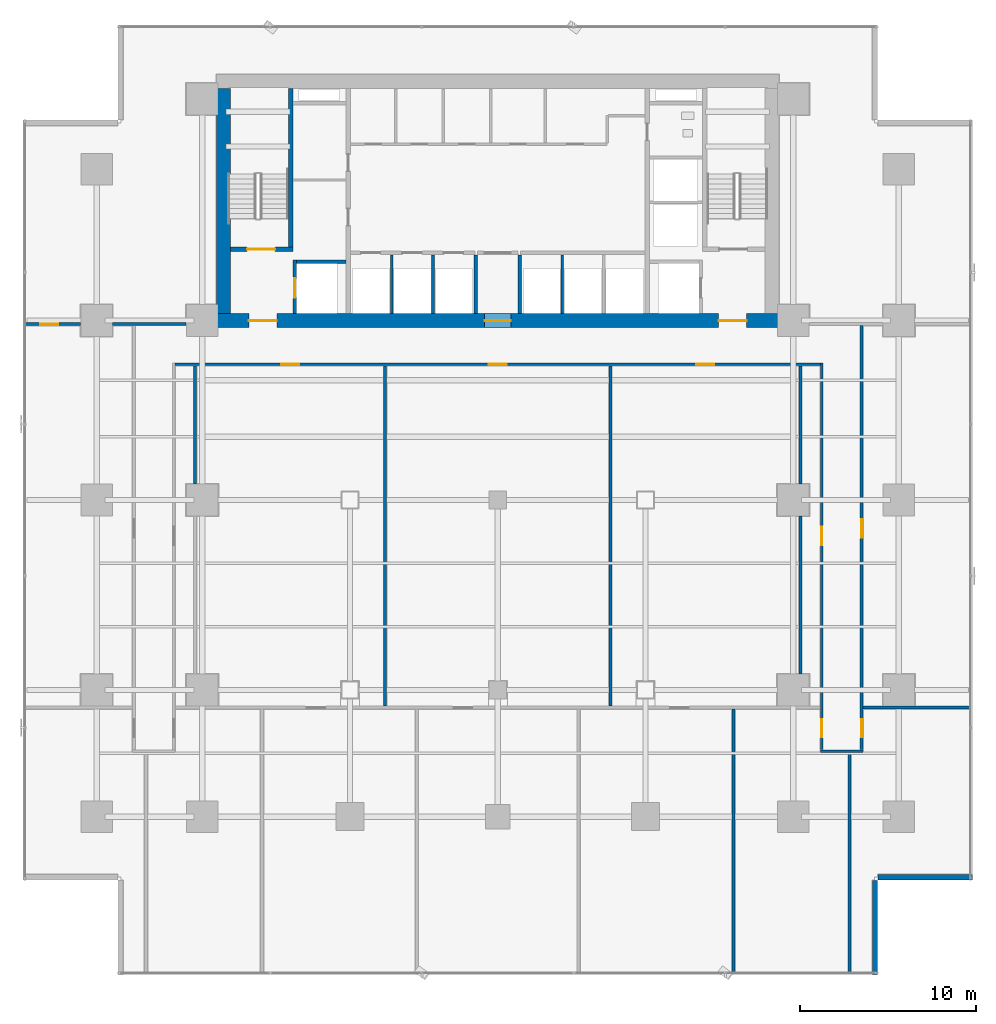
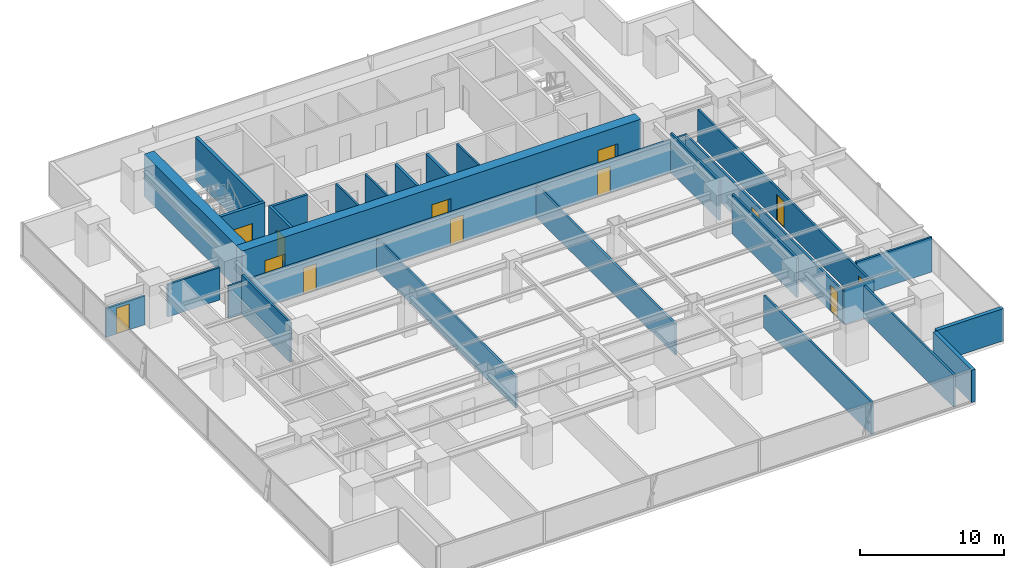
# One storey, part 25 of 34: 27 walls, 13 doors, 13 openings.
"""IFC4 building model written with IfcOpenShell, lengths in metres."""

from ifc_helpers import new_model, si_unit, direction, frame, frame_2d, origin, place, context, subcontext, project, spatial, rectangle, extrude, source, transform, mapped, material, layer, layer_set, type_object, element, fill, save


model = new_model("IFC4")

# Units and contexts
model_context = context("Model", 3, precision=1e-05, world=origin(), true_north=direction((0.0, 1.0)))
body_context = subcontext(model_context, "Body", "Model", "MODEL_VIEW")
ifc_project = project(units=[si_unit("LENGTHUNIT", "METRE"), si_unit("AREAUNIT", "SQUARE_METRE"), si_unit("VOLUMEUNIT", "CUBIC_METRE"), si_unit("PLANEANGLEUNIT", "RADIAN"), si_unit("MASSUNIT", "GRAM", prefix="KILO")], contexts=[model_context])

# Site, building, storey
site_placement = place(None, origin())
site = spatial("IfcSite", under=ifc_project, at=site_placement, CompositionType="ELEMENT")
building_placement = place(site_placement, origin())
building = spatial("IfcBuilding", under=site, at=building_placement, Name="Sumidabori Civic Tower", CompositionType="ELEMENT")
storey_placement = place(building_placement, frame((0.0, 0.0, 56.0)))
storey = spatial("IfcBuildingStorey", under=building, at=storey_placement, Name="L14", CompositionType="ELEMENT", Elevation=56.0)

# Wall, openings, doors
ifc_material_1 = material(Name="Concrete C60/75", Category="concrete")
ifc_layer_1 = layer(ifc_material_1, 0.800048828125, Name="Concrete C60/75")
ifc_layer_set_1 = layer_set([ifc_layer_1], Name="Concrete C60/75")
wall_type_1 = type_object("IfcWallType", Name="WL-CORE-800", PredefinedType="SHEAR", material=ifc_layer_set_1)
shared_shape_1 = source(origin(), body_context, "Body", "SweptSolid", [
    extrude(rectangle(XDim=32.0, YDim=0.800048828125, at=frame_2d((16.0, 0.0))), origin(), (0.0, 0.0, 1.0), 3.60009765625),
])
wall_1_placement = place(storey_placement, frame((-16.0, 10.199951171875, 0.0), z_axis=(0.0, 0.0, 1.0), x_axis=(1.0, 0.0, 0.0)))
wall_1 = element("IfcWall", 1, at=wall_1_placement, inside=storey, type_object=wall_type_1, Name="Core Shear Wall L14 S", PredefinedType="SHEAR", context=body_context, shape_type="MappedRepresentation", body=[
    mapped(shared_shape_1, transform((0.0, 0.0, 0.0), x_axis=(1.0, 0.0, 0.0), y_axis=(0.0, 1.0, 0.0), z_axis=(0.0, 0.0, 1.0), scale=1.0)),
])
opening_1_placement = place(wall_1_placement, frame((1.85009765625, 0.0, 0.0)))
opening_1 = element("IfcOpeningElement", 2, at=opening_1_placement, cuts=wall_1, Name="Opening DR-FD4", PredefinedType="OPENING", context=body_context, shape_type="SweptSolid", body=[
    extrude(rectangle(XDim=1.60009765625, YDim=2.14990234375, at=frame_2d((0.800048828125, 1.074951171875))), frame((0.0, 0.412109375, 0.0), z_axis=(0.0, -1.0, 0.0), x_axis=(1.0, 0.0, 0.0)), (0.0, 0.0, 1.0), 0.823974609375),
])
opening_2_placement = place(wall_1_placement, frame((28.550048828125, 0.0, 0.0)))
opening_2 = element("IfcOpeningElement", 3, at=opening_2_placement, cuts=wall_1, Name="Opening DR-FD4", PredefinedType="OPENING", context=body_context, shape_type="SweptSolid", body=[
    extrude(rectangle(XDim=1.60009765625, YDim=2.14990234375, at=frame_2d((0.800048828125, 1.074951171875))), frame((0.0, 0.412109375, 0.0), z_axis=(0.0, -1.0, 0.0), x_axis=(1.0, 0.0, 0.0)), (0.0, 0.0, 1.0), 0.823974609375),
])
opening_3_placement = place(wall_1_placement, frame((15.25, 0.0, 0.0)))
opening_3 = element("IfcOpeningElement", 4, at=opening_3_placement, cuts=wall_1, Name="Opening DR-FD3", PredefinedType="OPENING", context=body_context, shape_type="SweptSolid", body=[
    extrude(rectangle(XDim=1.5, YDim=2.199951171875, at=frame_2d((0.75, 1.10009765625))), frame((0.0, 0.412109375, 0.0), z_axis=(0.0, -1.0, 0.0), x_axis=(1.0, 0.0, 0.0)), (0.0, 0.0, 1.0), 0.823974609375),
])
ifc_material_2 = material(Name="Steel SN490", Category="steel")
door_type_1 = type_object("IfcDoorType", Name="DR-FD4", OperationType="DOUBLE_DOOR_SINGLE_SWING", PredefinedType="DOOR", material=ifc_material_2)
shared_shape_2 = source(origin(), body_context, "Body", "SweptSolid", [
    extrude(rectangle(XDim=1.60009765625, YDim=2.14990234375, at=frame_2d((0.800048828125, 1.074951171875))), frame((0.0, 0.02490234375, 0.0), z_axis=(0.0, -1.0, 0.0), x_axis=(1.0, 0.0, 0.0)), (0.0, 0.0, 1.0), 0.050048828125),
])
door_1_placement = place(opening_1_placement, origin())
door_1 = element("IfcDoor", 5, at=door_1_placement, inside=storey, type_object=door_type_1, Name="Door DR:L14:ELOB-W", OperationType="DOUBLE_DOOR_SINGLE_SWING", OverallHeight=2.14990234375, OverallWidth=1.60009765625, PredefinedType="DOOR", context=body_context, shape_type="MappedRepresentation", body=[
    mapped(shared_shape_2, transform((0.0, 0.0, 0.0), x_axis=(1.0, 0.0, 0.0), y_axis=(0.0, 1.0, 0.0), z_axis=(0.0, 0.0, 1.0), scale=1.0)),
])
fill(opening_1, door_1)
door_2_placement = place(opening_2_placement, origin())
door_2 = element("IfcDoor", 6, at=door_2_placement, inside=storey, type_object=door_type_1, Name="Door DR:L14:ELOB-E", OperationType="DOUBLE_DOOR_SINGLE_SWING", OverallHeight=2.14990234375, OverallWidth=1.60009765625, PredefinedType="DOOR", context=body_context, shape_type="MappedRepresentation", body=[
    mapped(shared_shape_2, transform((0.0, 0.0, 0.0), x_axis=(1.0, 0.0, 0.0), y_axis=(0.0, 1.0, 0.0), z_axis=(0.0, 0.0, 1.0), scale=1.0)),
])
fill(opening_2, door_2)
door_type_2 = type_object("IfcDoorType", Name="DR-FD-DBL", OperationType="DOUBLE_DOOR_SINGLE_SWING", PredefinedType="DOOR", material=ifc_material_2)
shared_shape_3 = source(origin(), body_context, "Body", "SweptSolid", [
    extrude(rectangle(XDim=1.5, YDim=2.199951171875, at=frame_2d((0.75, 1.10009765625))), frame((0.0, 0.02490234375, 0.0), z_axis=(0.0, -1.0, 0.0), x_axis=(1.0, 0.0, 0.0)), (0.0, 0.0, 1.0), 0.050048828125),
])
door_3_placement = place(opening_3_placement, origin())
door_3 = element("IfcDoor", 7, at=door_3_placement, inside=storey, type_object=door_type_2, Name="Door DR:L14:THROAT-OUT", OperationType="DOUBLE_DOOR_SINGLE_SWING", OverallHeight=2.199951171875, OverallWidth=1.5, PredefinedType="DOOR", context=body_context, shape_type="MappedRepresentation", body=[
    mapped(shared_shape_3, transform((0.0, 0.0, 0.0), x_axis=(1.0, 0.0, 0.0), y_axis=(0.0, 1.0, 0.0), z_axis=(0.0, 0.0, 1.0), scale=1.0)),
])
fill(opening_3, door_3)

# Wall
shared_shape_4 = source(origin(), body_context, "Body", "SweptSolid", [
    extrude(rectangle(XDim=12.7998046875, YDim=0.800048828125, at=frame_2d((6.39990234375, 0.0))), origin(), (0.0, 0.0, 1.0), 3.60009765625),
])
wall_2_placement = place(storey_placement, frame((-15.60009765625, 10.60009765625, 0.0), z_axis=(0.0, 0.0, 1.0), x_axis=(0.0, 1.0, 0.0)))
element("IfcWall", 8, at=wall_2_placement, inside=storey, type_object=wall_type_1, Name="Core Shear Wall L14 W", PredefinedType="SHEAR", context=body_context, shape_type="MappedRepresentation", body=[
    mapped(shared_shape_4, transform((0.0, 0.0, 0.0), x_axis=(1.0, 0.0, 0.0), y_axis=(0.0, 1.0, 0.0), z_axis=(0.0, 0.0, 1.0), scale=1.0)),
])

# Wall, opening, door
ifc_material_3 = material(Name="Concrete C50/60", Category="concrete")
ifc_layer_2 = layer(ifc_material_3, 0.25, Name="Concrete C50/60")
ifc_layer_set_2 = layer_set([ifc_layer_2], Name="Concrete C50/60")
wall_type_2 = type_object("IfcWallType", Name="WL-SHAFT-250", PredefinedType="SHEAR", material=ifc_layer_set_2)
shared_shape_5 = source(origin(), body_context, "Body", "SweptSolid", [
    extrude(rectangle(XDim=3.554931640625, YDim=0.25, at=frame_2d((1.77734375, 0.0))), origin(), (0.0, 0.0, 1.0), 3.60009765625),
])
wall_3_placement = place(storey_placement, frame((-15.199951171875, 14.25, 0.0), z_axis=(0.0, 0.0, 1.0), x_axis=(1.0, 0.0, 0.0)))
wall_3 = element("IfcWall", 9, at=wall_3_placement, inside=storey, type_object=wall_type_2, Name="Core Shear Wall L14 ST1-S", PredefinedType="SHEAR", context=body_context, shape_type="MappedRepresentation", body=[
    mapped(shared_shape_5, transform((0.0, 0.0, 0.0), x_axis=(1.0, 0.0, 0.0), y_axis=(0.0, 1.0, 0.0), z_axis=(0.0, 0.0, 1.0), scale=1.0)),
])
opening_4_placement = place(wall_3_placement, frame((0.949951171875, 0.0, 0.0)))
opening_4 = element("IfcOpeningElement", 10, at=opening_4_placement, cuts=wall_3, Name="Opening DR-FD4", PredefinedType="OPENING", context=body_context, shape_type="SweptSolid", body=[
    extrude(rectangle(XDim=1.60009765625, YDim=2.14990234375, at=frame_2d((0.800048828125, 1.074951171875))), frame((0.0, 0.136962890625, 0.0), z_axis=(0.0, -1.0, 0.0), x_axis=(1.0, 0.0, 0.0)), (0.0, 0.0, 1.0), 0.27392578125),
])
door_4_placement = place(opening_4_placement, origin())
door_4 = element("IfcDoor", 11, at=door_4_placement, inside=storey, type_object=door_type_1, Name="Door DR:L14:ST1", OperationType="DOUBLE_DOOR_SINGLE_SWING", OverallHeight=2.14990234375, OverallWidth=1.60009765625, PredefinedType="DOOR", context=body_context, shape_type="MappedRepresentation", body=[
    mapped(shared_shape_2, transform((0.0, 0.0, 0.0), x_axis=(1.0, 0.0, 0.0), y_axis=(0.0, 1.0, 0.0), z_axis=(0.0, 0.0, 1.0), scale=1.0)),
])
fill(opening_4, door_4)

# Wall
shared_shape_6 = source(origin(), body_context, "Body", "SweptSolid", [
    extrude(rectangle(XDim=9.02490234375, YDim=0.25, at=frame_2d((4.512451171875, 0.0))), origin(), (0.0, 0.0, 1.0), 3.60009765625),
])
wall_4_placement = place(storey_placement, frame((-11.77001953125, 14.375, 0.0), z_axis=(0.0, 0.0, 1.0), x_axis=(0.0, 1.0, 0.0)))
element("IfcWall", 12, at=wall_4_placement, inside=storey, type_object=wall_type_2, Name="Core Shear Wall L14 ST1-E", PredefinedType="SHEAR", context=body_context, shape_type="MappedRepresentation", body=[
    mapped(shared_shape_6, transform((0.0, 0.0, 0.0), x_axis=(1.0, 0.0, 0.0), y_axis=(0.0, 1.0, 0.0), z_axis=(0.0, 0.0, 1.0), scale=1.0)),
])

# Wall, opening, door
ifc_layer_3 = layer(ifc_material_3, 0.199951171875, Name="Concrete C50/60")
ifc_layer_set_3 = layer_set([ifc_layer_3], Name="Concrete C50/60")
wall_type_3 = type_object("IfcWallType", Name="WL-SHAFT-200", PredefinedType="SHEAR", material=ifc_layer_set_3)
shared_shape_7 = source(origin(), body_context, "Body", "SweptSolid", [
    extrude(rectangle(XDim=3.0498046875, YDim=0.199951171875, at=frame_2d((1.52490234375, 0.0))), origin(), (0.0, 0.0, 1.0), 3.60009765625),
])
wall_5_placement = place(storey_placement, frame((-11.550048828125, 10.60009765625, 0.0), z_axis=(0.0, 0.0, 1.0), x_axis=(0.0, 1.0, 0.0)))
wall_5 = element("IfcWall", 13, at=wall_5_placement, inside=storey, type_object=wall_type_3, Name="Core Shear Wall L14 EL1-W", PredefinedType="SHEAR", context=body_context, shape_type="MappedRepresentation", body=[
    mapped(shared_shape_7, transform((0.0, 0.0, 0.0), x_axis=(1.0, 0.0, 0.0), y_axis=(0.0, 1.0, 0.0), z_axis=(0.0, 0.0, 1.0), scale=1.0)),
])
opening_5_placement = place(wall_5_placement, frame((0.89990234375, 0.0, 0.0)))
opening_5 = element("IfcOpeningElement", 14, at=opening_5_placement, cuts=wall_5, Name="Opening LD-2", PredefinedType="OPENING", context=body_context, shape_type="SweptSolid", body=[
    extrude(rectangle(XDim=1.10009765625, YDim=2.14990234375, at=frame_2d((0.550048828125, 1.074951171875))), frame((0.0, 0.11181640625, 0.0), z_axis=(0.0, -1.0, 0.0), x_axis=(1.0, 0.0, 0.0)), (0.0, 0.0, 1.0), 0.223876953125),
])
ifc_material_4 = material(Name="Stainless Steel Hairline Finish", Category="steel")
door_type_3 = type_object("IfcDoorType", Name="DR-LD2", OperationType="DOUBLE_DOOR_SLIDING", PredefinedType="DOOR", material=ifc_material_4)
shared_shape_8 = source(origin(), body_context, "Body", "SweptSolid", [
    extrude(rectangle(XDim=1.10009765625, YDim=2.14990234375, at=frame_2d((0.550048828125, 1.074951171875))), frame((0.0, 0.02490234375, 0.0), z_axis=(0.0, -1.0, 0.0), x_axis=(1.0, 0.0, 0.0)), (0.0, 0.0, 1.0), 0.050048828125),
])
door_5_placement = place(opening_5_placement, origin())
door_5 = element("IfcDoor", 15, at=door_5_placement, inside=storey, type_object=door_type_3, Name="Door DR:L14:LD-EL1", OperationType="DOUBLE_DOOR_SLIDING", OverallHeight=2.14990234375, OverallWidth=1.10009765625, PredefinedType="DOOR", context=body_context, shape_type="MappedRepresentation", body=[
    mapped(shared_shape_8, transform((0.0, 0.0, 0.0), x_axis=(1.0, 0.0, 0.0), y_axis=(0.0, 1.0, 0.0), z_axis=(0.0, 0.0, 1.0), scale=1.0)),
])
fill(opening_5, door_5)

# Walls
shared_shape_9 = source(origin(), body_context, "Body", "SweptSolid", [
    extrude(rectangle(XDim=2.824951171875, YDim=0.199951171875, at=frame_2d((1.41259765625, 0.0))), origin(), (0.0, 0.0, 1.0), 3.60009765625),
])
wall_6_placement = place(storey_placement, frame((-11.449951171875, 13.550048828125, 0.0), z_axis=(0.0, 0.0, 1.0), x_axis=(1.0, 0.0, 0.0)))
element("IfcWall", 16, at=wall_6_placement, inside=storey, type_object=wall_type_3, Name="Core Shear Wall L14 EL1-N", PredefinedType="SHEAR", context=body_context, shape_type="MappedRepresentation", body=[
    mapped(shared_shape_9, transform((0.0, 0.0, 0.0), x_axis=(1.0, 0.0, 0.0), y_axis=(0.0, 1.0, 0.0), z_axis=(0.0, 0.0, 1.0), scale=1.0)),
])
ifc_material_5 = material(Name="Precast concrete C40/50", Category="concrete")
ifc_layer_4 = layer(ifc_material_5, 0.300048828125, Name="Precast concrete C40/50")
ifc_layer_set_4 = layer_set([ifc_layer_4], Name="Precast concrete C40/50")
wall_type_4 = type_object("IfcWallType", Name="WL-EXT-POD300", PredefinedType="STANDARD", material=ifc_layer_set_4)
shared_shape_10 = source(origin(), body_context, "Body", "SweptSolid", [
    extrude(rectangle(XDim=5.35986328125, YDim=0.300048828125, at=frame_2d((2.679931640625, 0.0))), origin(), (0.0, 0.0, 1.0), 2.739990234375),
])
for number, where, z_axis, x_axis, name in (
    (17, (21.449951171875, -26.97998046875, 0.0), (0.0, 0.0, 1.0), (0.0, 1.0, 0.0), "Notched Corner Spandrel Band L14-02"),
    (18, (21.6201171875, -21.449951171875, 0.0), (0.0, 0.0, 1.0), (1.0, 0.0, 0.0), "Notched Corner Spandrel Band L14-03"),
):
    element("IfcWall", number, at=place(storey_placement, frame(where, z_axis=z_axis, x_axis=x_axis)), inside=storey, type_object=wall_type_4, Name=name, PredefinedType="STANDARD", context=body_context, shape_type="MappedRepresentation", body=[
        mapped(shared_shape_10, transform((0.0, 0.0, 0.0), x_axis=(1.0, 0.0, 0.0), y_axis=(0.0, 1.0, 0.0), z_axis=(0.0, 0.0, 1.0), scale=1.0)),
    ])
ifc_material_6 = material(Name="Gypsum Plasterboard Fire Partition")
ifc_layer_5 = layer(ifc_material_6, 0.199951171875, Name="Gypsum Plasterboard Fire Partition")
ifc_layer_set_5 = layer_set([ifc_layer_5], Name="Gypsum Plasterboard Fire Partition")
wall_type_5 = type_object("IfcWallType", Name="WL-PART-FIRE", PredefinedType="PARTITIONING", material=ifc_layer_set_5)
shared_shape_11 = source(origin(), body_context, "Body", "SweptSolid", [
    extrude(rectangle(XDim=3.33984375, YDim=0.199951171875, at=frame_2d((1.669921875, 0.0))), origin(), (0.0, 0.0, 1.0), 3.360107421875),
])
for number, where, z_axis, x_axis, name in (
    (19, (-1.25, 10.60009765625, 0.0), (0.0, 0.0, 1.0), (0.0, 1.0, 0.0), "Interior Partition WL:L14:THROAT-W"),
    (20, (1.25, 10.60009765625, 0.0), (0.0, 0.0, 1.0), (0.0, 1.0, 0.0), "Interior Partition WL:L14:THROAT-E"),
):
    element("IfcWall", number, at=place(storey_placement, frame(where, z_axis=z_axis, x_axis=x_axis)), inside=storey, type_object=wall_type_5, Name=name, PredefinedType="PARTITIONING", context=body_context, shape_type="MappedRepresentation", body=[
        mapped(shared_shape_11, transform((0.0, 0.0, 0.0), x_axis=(1.0, 0.0, 0.0), y_axis=(0.0, 1.0, 0.0), z_axis=(0.0, 0.0, 1.0), scale=1.0)),
    ])
ifc_material_7 = material(Name="Gypsum Plasterboard Acoustic Partition")
ifc_layer_6 = layer(ifc_material_7, 0.14990234375, Name="Gypsum Plasterboard Acoustic Partition")
ifc_layer_set_6 = layer_set([ifc_layer_6], Name="Gypsum Plasterboard Acoustic Partition")
wall_type_6 = type_object("IfcWallType", Name="WL-PART-150", PredefinedType="PARTITIONING", material=ifc_layer_set_6)
shared_shape_12 = source(origin(), body_context, "Body", "SweptSolid", [
    extrude(rectangle(XDim=3.33984375, YDim=0.14990234375, at=frame_2d((1.669921875, 0.0))), origin(), (0.0, 0.0, 1.0), 3.360107421875),
])
for number, where, z_axis, x_axis, name in (
    (21, (-6.030029296875, 10.60009765625, 0.0), (0.0, 0.0, 1.0), (0.0, 1.0, 0.0), "Interior Partition WL:L14:DIV-PLL1"),
    (22, (-3.679931640625, 10.60009765625, 0.0), (0.0, 0.0, 1.0), (0.0, 1.0, 0.0), "Interior Partition WL:L14:DIV-PLL2"),
    (23, (3.669921875, 10.60009765625, 0.0), (0.0, 0.0, 1.0), (0.0, 1.0, 0.0), "Interior Partition WL:L14:DIV-PLM1"),
):
    element("IfcWall", number, at=place(storey_placement, frame(where, z_axis=z_axis, x_axis=x_axis)), inside=storey, type_object=wall_type_6, Name=name, PredefinedType="PARTITIONING", context=body_context, shape_type="MappedRepresentation", body=[
        mapped(shared_shape_12, transform((0.0, 0.0, 0.0), x_axis=(1.0, 0.0, 0.0), y_axis=(0.0, 1.0, 0.0), z_axis=(0.0, 0.0, 1.0), scale=1.0)),
    ])

# Wall, opening, door
ifc_layer_7 = layer(ifc_material_7, 0.1650390625, Name="Gypsum Plasterboard Acoustic Partition")
ifc_layer_set_7 = layer_set([ifc_layer_7], Name="Gypsum Plasterboard Acoustic Partition")
wall_type_7 = type_object("IfcWallType", Name="WL-PART-165", PredefinedType="PARTITIONING", material=ifc_layer_set_7)
shared_shape_13 = source(origin(), body_context, "Body", "SweptSolid", [
    extrude(rectangle(XDim=3.14013671875, YDim=0.1650390625, at=frame_2d((1.570068359375, 0.0))), origin(), (0.0, 0.0, 1.0), 2.43505859375),
])
wall_7_placement = place(storey_placement, frame((-26.85009765625, 10.0, 0.0), z_axis=(0.0, 0.0, 1.0), x_axis=(1.0, 0.0, 0.0)))
wall_7 = element("IfcWall", 24, at=wall_7_placement, inside=storey, type_object=wall_type_7, Name="Interior Partition WL:L14:FLK-NW-1", PredefinedType="PARTITIONING", context=body_context, shape_type="MappedRepresentation", body=[
    mapped(shared_shape_13, transform((0.0, 0.0, 0.0), x_axis=(1.0, 0.0, 0.0), y_axis=(0.0, 1.0, 0.0), z_axis=(0.0, 0.0, 1.0), scale=1.0)),
])
opening_6_placement = place(wall_7_placement, frame((0.830078125, 0.0, 0.0)))
opening_6 = element("IfcOpeningElement", 25, at=opening_6_placement, cuts=wall_7, Name="Opening DR-4", PredefinedType="OPENING", context=body_context, shape_type="SweptSolid", body=[
    extrude(rectangle(XDim=1.0400390625, YDim=2.199951171875, at=frame_2d((0.52001953125, 1.10009765625))), frame((0.0, 0.094482421875, 0.0), z_axis=(0.0, -1.0, 0.0), x_axis=(1.0, 0.0, 0.0)), (0.0, 0.0, 1.0), 0.18896484375),
])
ifc_material_8 = material(Name="Japanese Hinoki Timber", Category="wood")
door_type_4 = type_object("IfcDoorType", Name="DR-INT-1040", OperationType="NOTDEFINED", PredefinedType="DOOR", material=ifc_material_8)
shared_shape_14 = source(origin(), body_context, "Body", "SweptSolid", [
    extrude(rectangle(XDim=1.0400390625, YDim=2.199951171875, at=frame_2d((0.52001953125, 1.10009765625))), frame((0.0, 0.02490234375, 0.0), z_axis=(0.0, -1.0, 0.0), x_axis=(1.0, 0.0, 0.0)), (0.0, 0.0, 1.0), 0.050048828125),
])
door_6_placement = place(opening_6_placement, origin())
door_6 = element("IfcDoor", 26, at=door_6_placement, inside=storey, type_object=door_type_4, Name="Door DR:L14:D12", OperationType="SINGLE_SWING_RIGHT", OverallHeight=2.199951171875, OverallWidth=1.0400390625, PredefinedType="DOOR", context=body_context, shape_type="MappedRepresentation", body=[
    mapped(shared_shape_14, transform((0.0, 0.0, 0.0), x_axis=(1.0, 0.0, 0.0), y_axis=(0.0, 1.0, 0.0), z_axis=(0.0, 0.0, 1.0), scale=1.0)),
])
fill(opening_6, door_6)

# Wall
shared_shape_15 = source(origin(), body_context, "Body", "SweptSolid", [
    extrude(rectangle(XDim=4.179931640625, YDim=0.1650390625, at=frame_2d((2.08984375, 0.0))), origin(), (0.0, 0.0, 1.0), 2.7451171875),
])
wall_8_placement = place(storey_placement, frame((-21.889892578125, 10.0, 0.0), z_axis=(0.0, 0.0, 1.0), x_axis=(1.0, 0.0, 0.0)))
element("IfcWall", 27, at=wall_8_placement, inside=storey, type_object=wall_type_7, Name="Interior Partition WL:L14:FLK-NW-2", PredefinedType="PARTITIONING", context=body_context, shape_type="MappedRepresentation", body=[
    mapped(shared_shape_15, transform((0.0, 0.0, 0.0), x_axis=(1.0, 0.0, 0.0), y_axis=(0.0, 1.0, 0.0), z_axis=(0.0, 0.0, 1.0), scale=1.0)),
])

# Wall, openings, doors
shared_shape_16 = source(origin(), body_context, "Body", "SweptSolid", [
    extrude(rectangle(XDim=36.669921875, YDim=0.1650390625, at=frame_2d((18.3349609375, 0.0))), origin(), (0.0, 0.0, 1.0), 2.7451171875),
])
wall_9_placement = place(storey_placement, frame((-18.3349609375, 7.717529296875, 0.0), z_axis=(0.0, 0.0, 1.0), x_axis=(1.0, 0.0, 0.0)))
wall_9 = element("IfcWall", 28, at=wall_9_placement, inside=storey, type_object=wall_type_7, Name="Interior Partition WL:L14:CORR-S", PredefinedType="PARTITIONING", context=body_context, shape_type="MappedRepresentation", body=[
    mapped(shared_shape_16, transform((0.0, 0.0, 0.0), x_axis=(1.0, 0.0, 0.0), y_axis=(0.0, 1.0, 0.0), z_axis=(0.0, 0.0, 1.0), scale=1.0)),
])
opening_7_placement = place(wall_9_placement, frame((6.014892578125, 0.0, 0.0)))
opening_7 = element("IfcOpeningElement", 29, at=opening_7_placement, cuts=wall_9, Name="Opening DR-4", PredefinedType="OPENING", context=body_context, shape_type="SweptSolid", body=[
    extrude(rectangle(XDim=1.0400390625, YDim=2.199951171875, at=frame_2d((0.52001953125, 1.10009765625))), frame((0.0, 0.094482421875, 0.0), z_axis=(0.0, -1.0, 0.0), x_axis=(1.0, 0.0, 0.0)), (0.0, 0.0, 1.0), 0.18896484375),
])
opening_8_placement = place(wall_9_placement, frame((29.614990234375, 0.0, 0.0)))
opening_8 = element("IfcOpeningElement", 30, at=opening_8_placement, cuts=wall_9, Name="Opening DR-4", PredefinedType="OPENING", context=body_context, shape_type="SweptSolid", body=[
    extrude(rectangle(XDim=1.0400390625, YDim=2.199951171875, at=frame_2d((0.52001953125, 1.10009765625))), frame((0.0, 0.094482421875, 0.0), z_axis=(0.0, -1.0, 0.0), x_axis=(1.0, 0.0, 0.0)), (0.0, 0.0, 1.0), 0.18896484375),
])
opening_9_placement = place(wall_9_placement, frame((17.81494140625, 0.0, 0.0)))
opening_9 = element("IfcOpeningElement", 31, at=opening_9_placement, cuts=wall_9, Name="Opening DR-4", PredefinedType="OPENING", context=body_context, shape_type="SweptSolid", body=[
    extrude(rectangle(XDim=1.0400390625, YDim=2.199951171875, at=frame_2d((0.52001953125, 1.10009765625))), frame((0.0, 0.094482421875, 0.0), z_axis=(0.0, -1.0, 0.0), x_axis=(1.0, 0.0, 0.0)), (0.0, 0.0, 1.0), 0.18896484375),
])
door_7_placement = place(opening_7_placement, origin())
door_7 = element("IfcDoor", 32, at=door_7_placement, inside=storey, type_object=door_type_4, Name="Door DR:L14:D05", OperationType="SINGLE_SWING_LEFT", OverallHeight=2.199951171875, OverallWidth=1.0400390625, PredefinedType="DOOR", context=body_context, shape_type="MappedRepresentation", body=[
    mapped(shared_shape_14, transform((0.0, 0.0, 0.0), x_axis=(1.0, 0.0, 0.0), y_axis=(0.0, 1.0, 0.0), z_axis=(0.0, 0.0, 1.0), scale=1.0)),
])
fill(opening_7, door_7)
door_8_placement = place(opening_8_placement, origin())
door_8 = element("IfcDoor", 33, at=door_8_placement, inside=storey, type_object=door_type_4, Name="Door DR:L14:D06", OperationType="SINGLE_SWING_RIGHT", OverallHeight=2.199951171875, OverallWidth=1.0400390625, PredefinedType="DOOR", context=body_context, shape_type="MappedRepresentation", body=[
    mapped(shared_shape_14, transform((0.0, 0.0, 0.0), x_axis=(1.0, 0.0, 0.0), y_axis=(0.0, 1.0, 0.0), z_axis=(0.0, 0.0, 1.0), scale=1.0)),
])
fill(opening_8, door_8)
door_9_placement = place(opening_9_placement, origin())
door_9 = element("IfcDoor", 34, at=door_9_placement, inside=storey, type_object=door_type_4, Name="Door DR:L14:D07", OperationType="SINGLE_SWING_LEFT", OverallHeight=2.199951171875, OverallWidth=1.0400390625, PredefinedType="DOOR", context=body_context, shape_type="MappedRepresentation", body=[
    mapped(shared_shape_14, transform((0.0, 0.0, 0.0), x_axis=(1.0, 0.0, 0.0), y_axis=(0.0, 1.0, 0.0), z_axis=(0.0, 0.0, 1.0), scale=1.0)),
])
fill(opening_9, door_9)

# Wall
shared_shape_17 = source(origin(), body_context, "Body", "SweptSolid", [
    extrude(rectangle(XDim=2.429931640625, YDim=0.1650390625, at=frame_2d((1.21484375, 0.0))), origin(), (0.0, 0.0, 1.0), 3.044921875),
])
wall_10_placement = place(storey_placement, frame((18.3349609375, -14.282470703125, 0.0), z_axis=(0.0, 0.0, 1.0), x_axis=(1.0, 0.0, 0.0)))
element("IfcWall", 35, at=wall_10_placement, inside=storey, type_object=wall_type_7, Name="Interior Partition WL:L14:CORR-CAP-E", PredefinedType="PARTITIONING", context=body_context, shape_type="MappedRepresentation", body=[
    mapped(shared_shape_17, transform((0.0, 0.0, 0.0), x_axis=(1.0, 0.0, 0.0), y_axis=(0.0, 1.0, 0.0), z_axis=(0.0, 0.0, 1.0), scale=1.0)),
])

# Wall, openings, doors
shared_shape_18 = source(origin(), body_context, "Body", "SweptSolid", [
    extrude(rectangle(XDim=24.107666015625, YDim=0.1650390625, at=frame_2d((12.0537109375, 0.0))), origin(), (0.0, 0.0, 1.0), 2.7451171875),
])
wall_11_placement = place(storey_placement, frame((20.6826171875, -14.195068359375, 0.0), z_axis=(0.0, 0.0, 1.0), x_axis=(0.0, 1.0, 0.0)))
wall_11 = element("IfcWall", 36, at=wall_11_placement, inside=storey, type_object=wall_type_7, Name="Interior Partition WL:L14:CORR-VE-OUT", PredefinedType="PARTITIONING", context=body_context, shape_type="MappedRepresentation", body=[
    mapped(shared_shape_18, transform((0.0, 0.0, 0.0), x_axis=(1.0, 0.0, 0.0), y_axis=(0.0, 1.0, 0.0), z_axis=(0.0, 0.0, 1.0), scale=1.0)),
])
opening_10_placement = place(wall_11_placement, frame((12.052490234375, 0.0, 0.0)))
opening_10 = element("IfcOpeningElement", 37, at=opening_10_placement, cuts=wall_11, Name="Opening DR-4", PredefinedType="OPENING", context=body_context, shape_type="SweptSolid", body=[
    extrude(rectangle(XDim=1.0400390625, YDim=2.199951171875, at=frame_2d((0.52001953125, 1.10009765625))), frame((0.0, 0.094482421875, 0.0), z_axis=(0.0, -1.0, 0.0), x_axis=(1.0, 0.0, 0.0)), (0.0, 0.0, 1.0), 0.18896484375),
])
opening_11_placement = place(wall_11_placement, frame((0.6962890625, 0.0, 0.0)))
opening_11 = element("IfcOpeningElement", 38, at=opening_11_placement, cuts=wall_11, Name="Opening DR-4", PredefinedType="OPENING", context=body_context, shape_type="SweptSolid", body=[
    extrude(rectangle(XDim=1.0400390625, YDim=2.199951171875, at=frame_2d((0.52001953125, 1.10009765625))), frame((0.0, 0.094482421875, 0.0), z_axis=(0.0, -1.0, 0.0), x_axis=(1.0, 0.0, 0.0)), (0.0, 0.0, 1.0), 0.18896484375),
])
door_10_placement = place(opening_10_placement, origin())
door_10 = element("IfcDoor", 39, at=door_10_placement, inside=storey, type_object=door_type_4, Name="Door DR:L14:D02", OperationType="SINGLE_SWING_RIGHT", OverallHeight=2.199951171875, OverallWidth=1.0400390625, PredefinedType="DOOR", context=body_context, shape_type="MappedRepresentation", body=[
    mapped(shared_shape_14, transform((0.0, 0.0, 0.0), x_axis=(1.0, 0.0, 0.0), y_axis=(0.0, 1.0, 0.0), z_axis=(0.0, 0.0, 1.0), scale=1.0)),
])
fill(opening_10, door_10)
door_11_placement = place(opening_11_placement, origin())
door_11 = element("IfcDoor", 40, at=door_11_placement, inside=storey, type_object=door_type_4, Name="Door DR:L14:D09", OperationType="SINGLE_SWING_LEFT", OverallHeight=2.199951171875, OverallWidth=1.0400390625, PredefinedType="DOOR", context=body_context, shape_type="MappedRepresentation", body=[
    mapped(shared_shape_14, transform((0.0, 0.0, 0.0), x_axis=(1.0, 0.0, 0.0), y_axis=(0.0, 1.0, 0.0), z_axis=(0.0, 0.0, 1.0), scale=1.0)),
])
fill(opening_11, door_11)

shared_shape_19 = source(origin(), body_context, "Body", "SweptSolid", [
    extrude(rectangle(XDim=21.9951171875, YDim=0.1650390625, at=frame_2d((10.99755859375, 0.0))), origin(), (0.0, 0.0, 1.0), 2.7451171875),
])
wall_12_placement = place(storey_placement, frame((18.41748046875, -14.195068359375, 0.0), z_axis=(0.0, 0.0, 1.0), x_axis=(0.0, 1.0, 0.0)))
wall_12 = element("IfcWall", 41, at=wall_12_placement, inside=storey, type_object=wall_type_7, Name="Interior Partition WL:L14:CORR-VE-IN", PredefinedType="PARTITIONING", context=body_context, shape_type="MappedRepresentation", body=[
    mapped(shared_shape_19, transform((0.0, 0.0, 0.0), x_axis=(1.0, 0.0, 0.0), y_axis=(0.0, 1.0, 0.0), z_axis=(0.0, 0.0, 1.0), scale=1.0)),
])
opening_12_placement = place(wall_12_placement, frame((11.6337890625, 0.0, 0.0)))
opening_12 = element("IfcOpeningElement", 42, at=opening_12_placement, cuts=wall_12, Name="Opening DR-4", PredefinedType="OPENING", context=body_context, shape_type="SweptSolid", body=[
    extrude(rectangle(XDim=1.0400390625, YDim=2.199951171875, at=frame_2d((0.52001953125, 1.10009765625))), frame((0.0, 0.094482421875, 0.0), z_axis=(0.0, -1.0, 0.0), x_axis=(1.0, 0.0, 0.0)), (0.0, 0.0, 1.0), 0.18896484375),
])
opening_13_placement = place(wall_12_placement, frame((0.6962890625, 0.0, 0.0)))
opening_13 = element("IfcOpeningElement", 43, at=opening_13_placement, cuts=wall_12, Name="Opening DR-4", PredefinedType="OPENING", context=body_context, shape_type="SweptSolid", body=[
    extrude(rectangle(XDim=1.0400390625, YDim=2.199951171875, at=frame_2d((0.52001953125, 1.10009765625))), frame((0.0, 0.094482421875, 0.0), z_axis=(0.0, -1.0, 0.0), x_axis=(1.0, 0.0, 0.0)), (0.0, 0.0, 1.0), 0.18896484375),
])
door_12_placement = place(opening_12_placement, origin())
door_12 = element("IfcDoor", 44, at=door_12_placement, inside=storey, type_object=door_type_4, Name="Door DR:L14:D04", OperationType="SINGLE_SWING_RIGHT", OverallHeight=2.199951171875, OverallWidth=1.0400390625, PredefinedType="DOOR", context=body_context, shape_type="MappedRepresentation", body=[
    mapped(shared_shape_14, transform((0.0, 0.0, 0.0), x_axis=(1.0, 0.0, 0.0), y_axis=(0.0, 1.0, 0.0), z_axis=(0.0, 0.0, 1.0), scale=1.0)),
])
fill(opening_12, door_12)
door_13_placement = place(opening_13_placement, origin())
door_13 = element("IfcDoor", 45, at=door_13_placement, inside=storey, type_object=door_type_4, Name="Door DR:L14:D11", OperationType="SINGLE_SWING_LEFT", OverallHeight=2.199951171875, OverallWidth=1.0400390625, PredefinedType="DOOR", context=body_context, shape_type="MappedRepresentation", body=[
    mapped(shared_shape_14, transform((0.0, 0.0, 0.0), x_axis=(1.0, 0.0, 0.0), y_axis=(0.0, 1.0, 0.0), z_axis=(0.0, 0.0, 1.0), scale=1.0)),
])
fill(opening_13, door_13)

# Walls
shared_shape_20 = source(origin(), body_context, "Body", "SweptSolid", [
    extrude(rectangle(XDim=6.080078125, YDim=0.1650390625, at=frame_2d((3.0400390625, 0.0))), origin(), (0.0, 0.0, 1.0), 2.945068359375),
])
wall_13_placement = place(storey_placement, frame((20.77001953125, -11.800048828125, 0.0), z_axis=(0.0, 0.0, 1.0), x_axis=(1.0, 0.0, 0.0)))
element("IfcWall", 46, at=wall_13_placement, inside=storey, type_object=wall_type_7, Name="Interior Partition WL:L14:BAND-Y-3", PredefinedType="PARTITIONING", context=body_context, shape_type="MappedRepresentation", body=[
    mapped(shared_shape_20, transform((0.0, 0.0, 0.0), x_axis=(1.0, 0.0, 0.0), y_axis=(0.0, 1.0, 0.0), z_axis=(0.0, 0.0, 1.0), scale=1.0)),
])
shared_shape_21 = source(origin(), body_context, "Body", "SweptSolid", [
    extrude(rectangle(XDim=8.97998046875, YDim=0.1650390625, at=frame_2d((4.489990234375, 0.0))), origin(), (0.0, 0.0, 1.0), 3.360107421875),
])
wall_14_placement = place(storey_placement, frame((17.199951171875, -9.889892578125, 0.0), z_axis=(0.0, 0.0, 1.0), x_axis=(0.0, 1.0, 0.0)))
element("IfcWall", 47, at=wall_14_placement, inside=storey, type_object=wall_type_7, Name="Interior Partition WL:L14:VX-N4-1", PredefinedType="PARTITIONING", context=body_context, shape_type="MappedRepresentation", body=[
    mapped(shared_shape_21, transform((0.0, 0.0, 0.0), x_axis=(1.0, 0.0, 0.0), y_axis=(0.0, 1.0, 0.0), z_axis=(0.0, 0.0, 1.0), scale=1.0)),
])
shared_shape_22 = source(origin(), body_context, "Body", "SweptSolid", [
    extrude(rectangle(XDim=6.719970703125, YDim=0.1650390625, at=frame_2d((3.35986328125, 0.0))), origin(), (0.0, 0.0, 1.0), 3.360107421875),
])
for number, where, z_axis, x_axis, name in (
    (48, (-17.199951171875, 0.909912109375, 0.0), (0.0, 0.0, 1.0), (0.0, 1.0, 0.0), "Interior Partition WL:L14:VX-N1-2"),
    (49, (17.199951171875, 0.909912109375, 0.0), (0.0, 0.0, 1.0), (0.0, 1.0, 0.0), "Interior Partition WL:L14:VX-N4-2"),
):
    element("IfcWall", number, at=place(storey_placement, frame(where, z_axis=z_axis, x_axis=x_axis)), inside=storey, type_object=wall_type_7, Name=name, PredefinedType="PARTITIONING", context=body_context, shape_type="MappedRepresentation", body=[
        mapped(shared_shape_22, transform((0.0, 0.0, 0.0), x_axis=(1.0, 0.0, 0.0), y_axis=(0.0, 1.0, 0.0), z_axis=(0.0, 0.0, 1.0), scale=1.0)),
    ])
shared_shape_23 = source(origin(), body_context, "Body", "SweptSolid", [
    extrude(rectangle(XDim=19.34228515625, YDim=0.1650390625, at=frame_2d((9.671142578125, 0.0))), origin(), (0.0, 0.0, 1.0), 2.64501953125),
])
for number, where, z_axis, x_axis, name in (
    (50, (-6.39990234375, -11.71240234375, 0.0), (0.0, 0.0, 1.0), (0.0, 1.0, 0.0), "Interior Partition WL:L14:VX-N2"),
    (51, (6.39990234375, -11.71240234375, 0.0), (0.0, 0.0, 1.0), (0.0, 1.0, 0.0), "Interior Partition WL:L14:VX-N3"),
):
    element("IfcWall", number, at=place(storey_placement, frame(where, z_axis=z_axis, x_axis=x_axis)), inside=storey, type_object=wall_type_7, Name=name, PredefinedType="PARTITIONING", context=body_context, shape_type="MappedRepresentation", body=[
        mapped(shared_shape_23, transform((0.0, 0.0, 0.0), x_axis=(1.0, 0.0, 0.0), y_axis=(0.0, 1.0, 0.0), z_axis=(0.0, 0.0, 1.0), scale=1.0)),
    ])
shared_shape_24 = source(origin(), body_context, "Body", "SweptSolid", [
    extrude(rectangle(XDim=12.47998046875, YDim=0.1650390625, at=frame_2d((6.239990234375, 0.0))), origin(), (0.0, 0.0, 1.0), 2.7451171875),
])
wall_15_placement = place(storey_placement, frame((20.0, -26.85009765625, 0.0), z_axis=(0.0, 0.0, 1.0), x_axis=(0.0, 1.0, 0.0)))
element("IfcWall", 52, at=wall_15_placement, inside=storey, type_object=wall_type_7, Name="Interior Partition WL:L14:VX-S6", PredefinedType="PARTITIONING", context=body_context, shape_type="MappedRepresentation", body=[
    mapped(shared_shape_24, transform((0.0, 0.0, 0.0), x_axis=(1.0, 0.0, 0.0), y_axis=(0.0, 1.0, 0.0), z_axis=(0.0, 0.0, 1.0), scale=1.0)),
])
shared_shape_25 = source(origin(), body_context, "Body", "SweptSolid", [
    extrude(rectangle(XDim=14.962646484375, YDim=0.1650390625, at=frame_2d((7.4814453125, 0.0))), origin(), (0.0, 0.0, 1.0), 2.7451171875),
])
wall_16_placement = place(storey_placement, frame((13.39990234375, -26.85009765625, 0.0), z_axis=(0.0, 0.0, 1.0), x_axis=(0.0, 1.0, 0.0)))
element("IfcWall", 53, at=wall_16_placement, inside=storey, type_object=wall_type_7, Name="Interior Partition WL:L14:VX-S5", PredefinedType="PARTITIONING", context=body_context, shape_type="MappedRepresentation", body=[
    mapped(shared_shape_25, transform((0.0, 0.0, 0.0), x_axis=(1.0, 0.0, 0.0), y_axis=(0.0, 1.0, 0.0), z_axis=(0.0, 0.0, 1.0), scale=1.0)),
])

save(model, "model.ifc")
